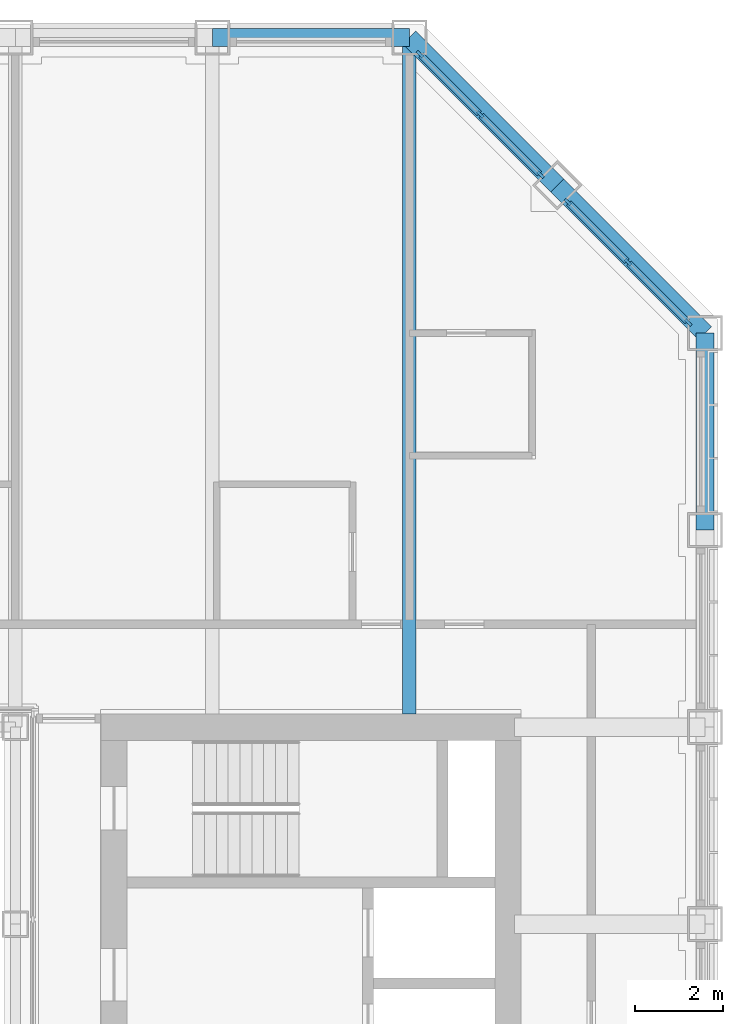
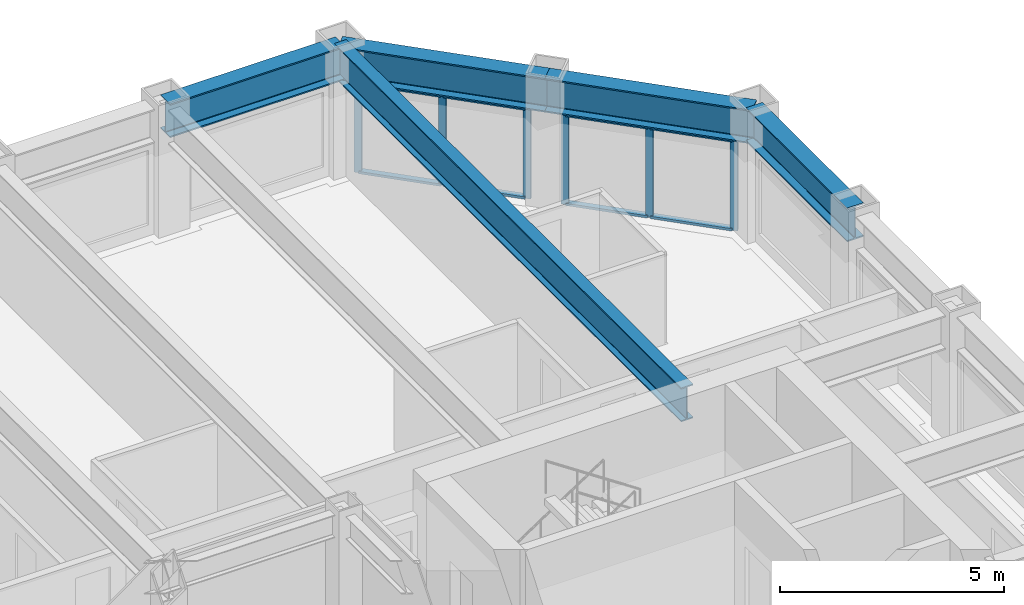
# One storey, part 8 of 17: 14 members, 5 beams, 2 elements without a shape of their own.
"""IFC4 building model written with IfcOpenShell, lengths in metres."""

from ifc_helpers import new_model, si_unit, direction, frame, origin, origin_2d, place, context, subcontext, project, spatial, rectangle, i_section, extrude, material, material_profile, profile_set, type_object, element, aggregate, save


model = new_model("IFC4")

# Units and contexts
model_context = context("Model", 3, precision=1e-05, world=origin(), true_north=direction((0.0, 1.0)))
body_context = subcontext(model_context, "Body", "Model", "MODEL_VIEW")
ifc_project = project(units=[si_unit("LENGTHUNIT", "METRE"), si_unit("AREAUNIT", "SQUARE_METRE"), si_unit("VOLUMEUNIT", "CUBIC_METRE"), si_unit("PLANEANGLEUNIT", "RADIAN"), si_unit("MASSUNIT", "GRAM", prefix="KILO")], contexts=[model_context])

# Site, building, storey
site_placement = place(None, origin())
site = spatial("IfcSite", under=ifc_project, at=site_placement, CompositionType="ELEMENT")
building_placement = place(site_placement, origin())
building = spatial("IfcBuilding", under=site, at=building_placement, Name="Msasa Ring Tower", CompositionType="ELEMENT")
storey_placement = place(building_placement, frame((0.0, 0.0, 147.199951171875)))
storey = spatial("IfcBuildingStorey", under=building, at=storey_placement, Name="L38", CompositionType="ELEMENT", Elevation=147.199951171875)

# Curtain wall, members
ifc_material_1 = material(Name="Aluminium curtain wall with clear glass", Category="aluminium")
curtain_wall_type = type_object("IfcCurtainWallType", Name="CW-C CHAMFER CORNER CURTAIN WALL", PredefinedType="NOTDEFINED", material=ifc_material_1)
curtain_wall_1_placement = place(storey_placement, origin())
curtain_wall_1 = element("IfcCurtainWall", 1, at=curtain_wall_1_placement, inside=storey, type_object=curtain_wall_type, Name="Chamfer corner curtain wall NE L38", PredefinedType="NOTDEFINED")
ifc_material_2 = material(Name="Aluminium mullion", Category="aluminium")
ifc_material_profile_1 = material_profile(ifc_material_2, rectangle(XDim=0.06494140625, YDim=0.179931640625, at=origin_2d()), Name="AL 65x180")
ifc_profile_set_1 = profile_set([ifc_material_profile_1], Name="Aluminium mullion")
member_type_1 = type_object("IfcMemberType", Name="CW-C MULLION 65x180", PredefinedType="MULLION", material=ifc_profile_set_1)
member_1_placement = place(storey_placement, frame((18.744873046875, 19.36376953125, 0.0), z_axis=(0.0, 0.0, 1.0), x_axis=(-0.707106781187, -0.707106781187, 0.0)))
member_1 = element("IfcMember", 2, at=member_1_placement, type_object=member_type_1, Name="CW-C mullion 1", PredefinedType="MULLION", context=body_context, shape_type="SweptSolid", body=[
    extrude(rectangle(XDim=0.06494140625, YDim=0.179931640625, at=origin_2d()), origin(), (0.0, 0.0, 1.0), 2.47900390625),
])
member_2_placement = place(storey_placement, frame((17.36669921875, 20.74169921875, 0.0), z_axis=(0.0, 0.0, 1.0), x_axis=(-0.707106781187, -0.707106781187, 0.0)))
member_2 = element("IfcMember", 3, at=member_2_placement, type_object=member_type_1, Name="CW-C mullion 2", PredefinedType="MULLION", context=body_context, shape_type="SweptSolid", body=[
    extrude(rectangle(XDim=0.06494140625, YDim=0.179931640625, at=origin_2d()), origin(), (0.0, 0.0, 1.0), 2.47900390625),
])
member_3_placement = place(storey_placement, frame((15.98876953125, 22.119873046875, 0.0), z_axis=(0.0, 0.0, 1.0), x_axis=(-0.707106781187, -0.707106781187, 0.0)))
member_3 = element("IfcMember", 4, at=member_3_placement, type_object=member_type_1, Name="CW-C mullion 3", PredefinedType="MULLION", context=body_context, shape_type="SweptSolid", body=[
    extrude(rectangle(XDim=0.06494140625, YDim=0.179931640625, at=origin_2d()), origin(), (0.0, 0.0, 1.0), 2.47900390625),
])

curtain_wall_2_placement = place(storey_placement, origin())
curtain_wall_2 = element("IfcCurtainWall", 5, at=curtain_wall_2_placement, inside=storey, type_object=curtain_wall_type, Name="Chamfer corner curtain wall NE L38", PredefinedType="NOTDEFINED")
member_4_placement = place(storey_placement, frame((22.119873046875, 15.98876953125, 0.0), z_axis=(0.0, 0.0, 1.0), x_axis=(-0.707106781187, -0.707106781187, 0.0)))
member_4 = element("IfcMember", 6, at=member_4_placement, type_object=member_type_1, Name="CW-C mullion 1", PredefinedType="MULLION", context=body_context, shape_type="SweptSolid", body=[
    extrude(rectangle(XDim=0.06494140625, YDim=0.179931640625, at=origin_2d()), origin(), (0.0, 0.0, 1.0), 2.47900390625),
])
member_5_placement = place(storey_placement, frame((20.74169921875, 17.36669921875, 0.0), z_axis=(0.0, 0.0, 1.0), x_axis=(-0.707106781187, -0.707106781187, 0.0)))
member_5 = element("IfcMember", 7, at=member_5_placement, type_object=member_type_1, Name="CW-C mullion 2", PredefinedType="MULLION", context=body_context, shape_type="SweptSolid", body=[
    extrude(rectangle(XDim=0.06494140625, YDim=0.179931640625, at=origin_2d()), origin(), (0.0, 0.0, 1.0), 2.47900390625),
])
member_6_placement = place(storey_placement, frame((19.36376953125, 18.744873046875, 0.0), z_axis=(0.0, 0.0, 1.0), x_axis=(-0.707106781187, -0.707106781187, 0.0)))
member_6 = element("IfcMember", 8, at=member_6_placement, type_object=member_type_1, Name="CW-C mullion 3", PredefinedType="MULLION", context=body_context, shape_type="SweptSolid", body=[
    extrude(rectangle(XDim=0.06494140625, YDim=0.179931640625, at=origin_2d()), origin(), (0.0, 0.0, 1.0), 2.47900390625),
])

# Member
ifc_material_3 = material(Name="Aluminium transom", Category="aluminium")
ifc_material_profile_2 = material_profile(ifc_material_3, rectangle(XDim=0.139892578125, YDim=0.06494140625, at=origin_2d()), Name="AL 65x140")
ifc_profile_set_2 = profile_set([ifc_material_profile_2], Name="Aluminium transom")
member_type_2 = type_object("IfcMemberType", Name="CW-C TRANSOM 65x140", PredefinedType="USERDEFINED", material=ifc_profile_set_2)
member_7_placement = place(storey_placement, frame((18.721923828125, 19.38671875, 0.032470703125), z_axis=(-0.707106781187, 0.707106781187, 0.0), x_axis=(-0.707106781187, -0.707106781187, 0.0)))
member_7 = element("IfcMember", 9, at=member_7_placement, type_object=member_type_2, Name="CW-C transom 1.1", ObjectType="TRANSOM", PredefinedType="USERDEFINED", context=body_context, shape_type="SweptSolid", body=[
    extrude(rectangle(XDim=0.139892578125, YDim=0.06494140625, at=origin_2d()), origin(), (0.0, 0.0, 1.0), 1.8837890625),
])

member_8_placement = place(storey_placement, frame((18.721923828125, 19.38671875, 2.446533203125), z_axis=(-0.707106781187, 0.707106781187, 0.0), x_axis=(-0.707106781187, -0.707106781187, 0.0)))
member_8 = element("IfcMember", 10, at=member_8_placement, type_object=member_type_2, Name="CW-C transom 1.2", ObjectType="TRANSOM", PredefinedType="USERDEFINED", context=body_context, shape_type="SweptSolid", body=[
    extrude(rectangle(XDim=0.139892578125, YDim=0.06494140625, at=origin_2d()), origin(), (0.0, 0.0, 1.0), 1.8837890625),
])

member_9_placement = place(storey_placement, frame((17.34375, 20.764892578125, 0.032470703125), z_axis=(-0.707106781187, 0.707106781187, 0.0), x_axis=(-0.707106781187, -0.707106781187, 0.0)))
member_9 = element("IfcMember", 11, at=member_9_placement, type_object=member_type_2, Name="CW-C transom 2.1", ObjectType="TRANSOM", PredefinedType="USERDEFINED", context=body_context, shape_type="SweptSolid", body=[
    extrude(rectangle(XDim=0.139892578125, YDim=0.06494140625, at=origin_2d()), origin(), (0.0, 0.0, 1.0), 1.8837890625),
])

member_10_placement = place(storey_placement, frame((17.34375, 20.764892578125, 2.446533203125), z_axis=(-0.707106781187, 0.707106781187, 0.0), x_axis=(-0.707106781187, -0.707106781187, 0.0)))
member_10 = element("IfcMember", 12, at=member_10_placement, type_object=member_type_2, Name="CW-C transom 2.2", ObjectType="TRANSOM", PredefinedType="USERDEFINED", context=body_context, shape_type="SweptSolid", body=[
    extrude(rectangle(XDim=0.139892578125, YDim=0.06494140625, at=origin_2d()), origin(), (0.0, 0.0, 1.0), 1.8837890625),
])

aggregate(curtain_wall_1, [member_1, member_2, member_3, member_7, member_8, member_9, member_10])

member_11_placement = place(storey_placement, frame((22.096923828125, 16.01171875, 0.032470703125), z_axis=(-0.707106781187, 0.707106781187, 0.0), x_axis=(-0.707106781187, -0.707106781187, 0.0)))
member_11 = element("IfcMember", 13, at=member_11_placement, type_object=member_type_2, Name="CW-C transom 1.1", ObjectType="TRANSOM", PredefinedType="USERDEFINED", context=body_context, shape_type="SweptSolid", body=[
    extrude(rectangle(XDim=0.139892578125, YDim=0.06494140625, at=origin_2d()), origin(), (0.0, 0.0, 1.0), 1.8837890625),
])

member_12_placement = place(storey_placement, frame((22.096923828125, 16.01171875, 2.446533203125), z_axis=(-0.707106781187, 0.707106781187, 0.0), x_axis=(-0.707106781187, -0.707106781187, 0.0)))
member_12 = element("IfcMember", 14, at=member_12_placement, type_object=member_type_2, Name="CW-C transom 1.2", ObjectType="TRANSOM", PredefinedType="USERDEFINED", context=body_context, shape_type="SweptSolid", body=[
    extrude(rectangle(XDim=0.139892578125, YDim=0.06494140625, at=origin_2d()), origin(), (0.0, 0.0, 1.0), 1.8837890625),
])

member_13_placement = place(storey_placement, frame((20.71875, 17.389892578125, 0.032470703125), z_axis=(-0.707106781187, 0.707106781187, 0.0), x_axis=(-0.707106781187, -0.707106781187, 0.0)))
member_13 = element("IfcMember", 15, at=member_13_placement, type_object=member_type_2, Name="CW-C transom 2.1", ObjectType="TRANSOM", PredefinedType="USERDEFINED", context=body_context, shape_type="SweptSolid", body=[
    extrude(rectangle(XDim=0.139892578125, YDim=0.06494140625, at=origin_2d()), origin(), (0.0, 0.0, 1.0), 1.8837890625),
])

member_14_placement = place(storey_placement, frame((20.71875, 17.389892578125, 2.446533203125), z_axis=(-0.707106781187, 0.707106781187, 0.0), x_axis=(-0.707106781187, -0.707106781187, 0.0)))
member_14 = element("IfcMember", 16, at=member_14_placement, type_object=member_type_2, Name="CW-C transom 2.2", ObjectType="TRANSOM", PredefinedType="USERDEFINED", context=body_context, shape_type="SweptSolid", body=[
    extrude(rectangle(XDim=0.139892578125, YDim=0.06494140625, at=origin_2d()), origin(), (0.0, 0.0, 1.0), 1.8837890625),
])

aggregate(curtain_wall_2, [member_4, member_5, member_6, member_11, member_12, member_13, member_14])

# Beams
ifc_material_4 = material(Name="Steel S355", Category="steel")
ifc_material_profile_3 = material_profile(ifc_material_4, i_section(OverallWidth=0.3076171875, OverallDepth=0.926513671875, WebThickness=0.01953125, FlangeThickness=0.031982421875, FilletRadius=0.01904296875, at=origin_2d()), Name="UB 914x305x289")
ifc_profile_set_3 = profile_set([ifc_material_profile_3], Name="Steel S355")
beam_type_1 = type_object("IfcBeamType", Name="FB3 UB 914x305x289", PredefinedType="BEAM", material=ifc_profile_set_3)
beam_1_placement = place(storey_placement, frame((15.75, 22.5, 2.936767578125), z_axis=(0.0, -1.0, 0.0), x_axis=(1.0, 0.0, 0.0)))
element("IfcBeam", 17, at=beam_1_placement, inside=storey, type_object=beam_type_1, Name="Floor beam N+15.75 under L39", PredefinedType="BEAM", context=body_context, shape_type="SweptSolid", body=[
    extrude(i_section(OverallWidth=0.3076171875, OverallDepth=0.926513671875, WebThickness=0.01953125, FlangeThickness=0.031982421875, FilletRadius=0.01904296875, at=origin_2d()), origin(), (0.0, 0.0, 1.0), 15.449951171875),
])
ifc_material_5 = material(Name="Steel S355", Category="steel")
ifc_material_profile_4 = material_profile(ifc_material_5, i_section(OverallWidth=0.42041015625, OverallDepth=0.9208984375, WebThickness=0.021484375, FlangeThickness=0.03662109375, FilletRadius=0.024169921875, at=origin_2d()), Name="UB 914x419x388")
ifc_profile_set_4 = profile_set([ifc_material_profile_4], Name="Steel S355")
beam_type_2 = type_object("IfcBeamType", Name="SB1 UB 914x419x388", PredefinedType="SPANDREL", material=ifc_profile_set_4)
beam_2_placement = place(storey_placement, frame((22.5, 11.25, 2.939453125), z_axis=(0.0, 1.0, 0.0), x_axis=(-1.0, 0.0, 0.0)))
element("IfcBeam", 18, at=beam_2_placement, inside=storey, type_object=beam_type_2, Name="Spandrel E+11.25 to E+15.75 under L39", PredefinedType="SPANDREL", context=body_context, shape_type="SweptSolid", body=[
    extrude(i_section(OverallWidth=0.42041015625, OverallDepth=0.9208984375, WebThickness=0.021484375, FlangeThickness=0.03662109375, FilletRadius=0.024169921875, at=origin_2d()), origin(), (0.0, 0.0, 1.0), 4.5),
])
for number, where, z_axis, x_axis, name in (
    (19, (22.5, 15.75, 2.939453125), (-0.707106781187, 0.707106781187, 0.0), (-0.707106781187, -0.707106781187, 0.0), "Spandrel E+15.75 to NE under L39"),
    (20, (19.125, 19.125, 2.939453125), (-0.707106781187, 0.707106781187, 0.0), (-0.707106781187, -0.707106781187, 0.0), "Spandrel NE to N+15.75 under L39"),
):
    element("IfcBeam", number, at=place(storey_placement, frame(where, z_axis=z_axis, x_axis=x_axis)), inside=storey, type_object=beam_type_2, Name=name, PredefinedType="SPANDREL", context=body_context, shape_type="SweptSolid", body=[
        extrude(i_section(OverallWidth=0.42041015625, OverallDepth=0.9208984375, WebThickness=0.021484375, FlangeThickness=0.03662109375, FilletRadius=0.024169921875, at=origin_2d()), origin(), (0.0, 0.0, 1.0), 4.77294921875),
    ])
beam_3_placement = place(storey_placement, frame((15.75, 22.5, 2.939453125), z_axis=(-1.0, 0.0, 0.0), x_axis=(0.0, -1.0, 0.0)))
element("IfcBeam", 21, at=beam_3_placement, inside=storey, type_object=beam_type_2, Name="Spandrel N+15.75 to N+11.25 under L39", PredefinedType="SPANDREL", context=body_context, shape_type="SweptSolid", body=[
    extrude(i_section(OverallWidth=0.42041015625, OverallDepth=0.9208984375, WebThickness=0.021484375, FlangeThickness=0.03662109375, FilletRadius=0.024169921875, at=origin_2d()), origin(), (0.0, 0.0, 1.0), 4.5),
])

save(model, "model.ifc")
